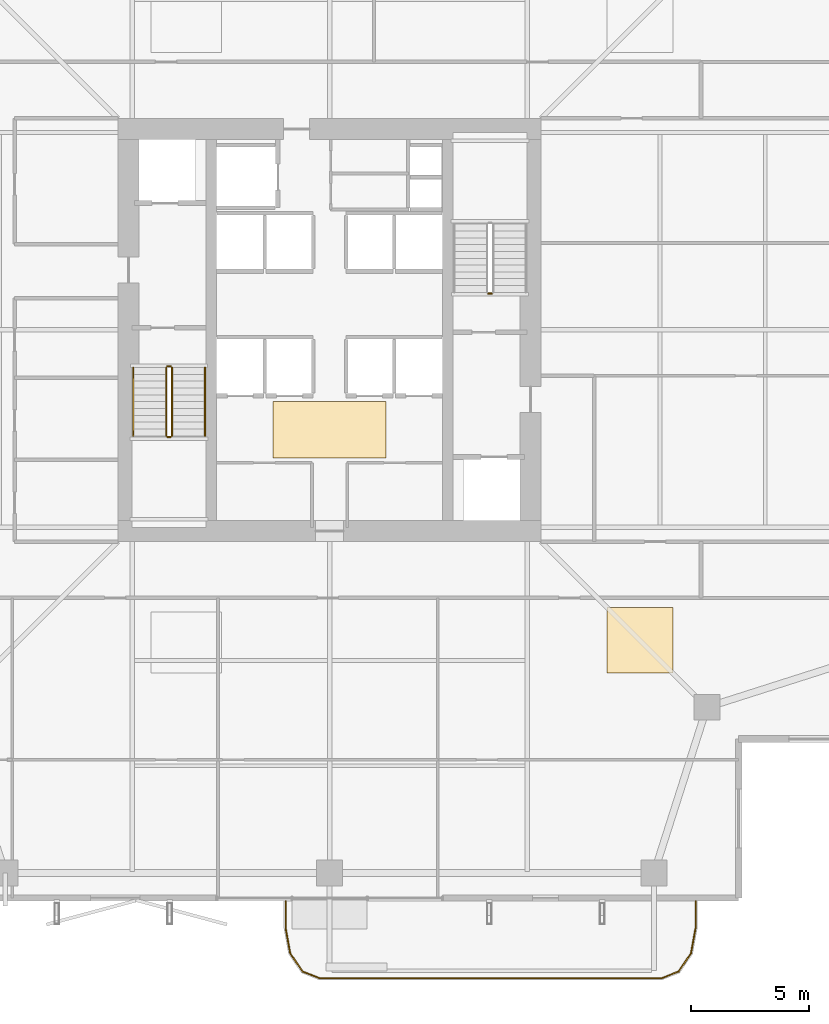
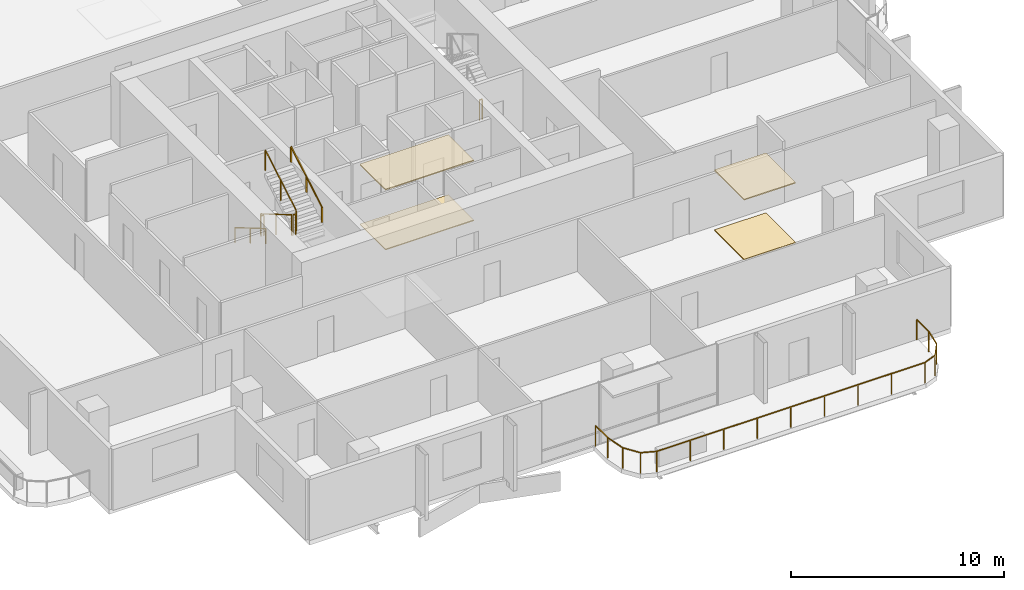
# One storey, part 23 of 25: 8 railings, 4 coverings.
"""IFC4 building model written with IfcOpenShell, lengths in metres."""

from ifc_helpers import new_model, si_unit, direction, frame, origin, origin_2d, place, context, subcontext, project, spatial, polyline, rectangle, outline, extrude, material, layer, layer_set, type_object, element, save


model = new_model("IFC4")

# Units and contexts
model_context = context("Model", 3, precision=1e-05, world=origin(), true_north=direction((0.0, 1.0)))
body_context = subcontext(model_context, "Body", "Model", "MODEL_VIEW")
ifc_project = project(units=[si_unit("LENGTHUNIT", "METRE"), si_unit("AREAUNIT", "SQUARE_METRE"), si_unit("VOLUMEUNIT", "CUBIC_METRE"), si_unit("PLANEANGLEUNIT", "RADIAN"), si_unit("MASSUNIT", "GRAM", prefix="KILO")], contexts=[model_context])

# Site, building, storey
site_placement = place(None, origin())
site = spatial("IfcSite", under=ifc_project, at=site_placement, CompositionType="ELEMENT")
building_placement = place(site_placement, origin())
building = spatial("IfcBuilding", under=site, at=building_placement, Name="Belovzor Exchange Tower", CompositionType="ELEMENT")
storey_placement = place(building_placement, frame((0.0, 0.0, 187.050048828125)))
storey = spatial("IfcBuildingStorey", under=building, at=storey_placement, Name="L46", CompositionType="ELEMENT", Elevation=187.050048828125)

# Railings
ifc_material_1 = material(Name="Stainless Steel Grade 304", Category="steel")
railing_type_1 = type_object("IfcRailingType", Name="Brushed Stainless Steel Stair Handrail 900", PredefinedType="HANDRAIL", material=ifc_material_1)
railing_1_placement = place(storey_placement, frame((20.449951171875, 27.199951171875, 0.17041015625)))
element("IfcRailing", 1, at=railing_1_placement, inside=storey, type_object=railing_type_1, Name="L46 ST-1 stair handrail 1", PredefinedType="HANDRAIL", context=body_context, shape_type="SweptSolid", body=[
    extrude(rectangle(XDim=0.048095703125, YDim=0.048095703125, at=origin_2d()), frame((0.0, 0.0, 0.8759765625), z_axis=(0.0, -0.86209462966, 0.506747323142), x_axis=(1.0, 0.0, 0.0)), (0.0, 0.0, 1.0), 3.36376953125),
    extrude(rectangle(XDim=0.0419921875, YDim=0.0419921875, at=origin_2d()), origin(), (0.0, 0.0, 1.0), 0.851806640625),
    extrude(rectangle(XDim=0.0419921875, YDim=0.0419921875, at=origin_2d()), frame((0.0, -1.449951171875, 0.852294921875)), (0.0, 0.0, 1.0), 0.851806640625),
    extrude(rectangle(XDim=0.0419921875, YDim=0.0419921875, at=origin_2d()), frame((0.0, -2.89990234375, 1.70458984375)), (0.0, 0.0, 1.0), 0.851806640625),
])
railing_2_placement = place(storey_placement, frame((23.5, 24.300048828125, 2.04541015625)))
element("IfcRailing", 2, at=railing_2_placement, inside=storey, type_object=railing_type_1, Name="L46 ST-1 stair handrail 2", PredefinedType="HANDRAIL", context=body_context, shape_type="SweptSolid", body=[
    extrude(rectangle(XDim=0.048095703125, YDim=0.048095703125, at=origin_2d()), frame((0.0, 0.0, 0.8759765625), z_axis=(0.0, 0.86209462966, 0.506747323142), x_axis=(-1.0, 0.0, 0.0)), (0.0, 0.0, 1.0), 3.36376953125),
    extrude(rectangle(XDim=0.0419921875, YDim=0.0419921875, at=origin_2d()), origin(), (0.0, 0.0, 1.0), 0.851806640625),
    extrude(rectangle(XDim=0.0419921875, YDim=0.0419921875, at=origin_2d()), frame((0.0, 1.449951171875, 0.852294921875)), (0.0, 0.0, 1.0), 0.851806640625),
    extrude(rectangle(XDim=0.0419921875, YDim=0.0419921875, at=origin_2d()), frame((0.0, 2.89990234375, 1.70458984375)), (0.0, 0.0, 1.0), 0.851806640625),
])
ifc_material_2 = material(Name="Stainless Steel and Laminated Safety Glass", Category="steel")
railing_type_2 = type_object("IfcRailingType", Name="Laminated Glass & Stainless Steel Balcony Balustrade 1200", PredefinedType="BALUSTRADE", material=ifc_material_2)
railing_3_placement = place(storey_placement, frame((26.929931640625, 4.489990234375, 0.0)))
element("IfcRailing", 3, at=railing_3_placement, inside=storey, type_object=railing_type_2, Name="GR-1 Balcony Balustrade L46 South", PredefinedType="BALUSTRADE", context=body_context, shape_type="SweptSolid", body=[
    extrude(rectangle(XDim=0.048095703125, YDim=0.048095703125, at=origin_2d()), frame((0.0, 0.0, 1.17578125), z_axis=(0.0, -1.0, 0.0), x_axis=(1.0, 0.0, 0.0)), (0.0, 0.0, 1.0), 1.133056640625),
    extrude(rectangle(XDim=0.048095703125, YDim=0.048095703125, at=origin_2d()), frame((0.0, -1.133056640625, 1.17578125), z_axis=(0.180122719713, -0.983644145941, 0.0), x_axis=(0.983644145941, 0.180122719713, 0.0)), (0.0, 0.0, 1.0), 1.09375),
    extrude(rectangle(XDim=0.048095703125, YDim=0.048095703125, at=origin_2d()), frame((0.197021484375, -2.208984375, 1.17578125), z_axis=(0.56294695933, -0.826493025367, 0.0), x_axis=(0.826493025367, 0.56294695933, 0.0)), (0.0, 0.0, 1.0), 0.932861328125),
    extrude(rectangle(XDim=0.048095703125, YDim=0.048095703125, at=origin_2d()), frame((0.72216796875, -2.97998046875, 1.17578125), z_axis=(0.930766990125, -0.365612923861, 0.0), x_axis=(0.365612923861, 0.930766990125, 0.0)), (0.0, 0.0, 1.0), 0.765869140625),
    extrude(rectangle(XDim=0.048095703125, YDim=0.048095703125, at=origin_2d()), frame((1.43505859375, -3.260009765625, 1.17578125), z_axis=(1.0, 0.0, 0.0), x_axis=(0.0, 1.0, 0.0)), (0.0, 0.0, 1.0), 14.570068359375),
    extrude(rectangle(XDim=0.048095703125, YDim=0.048095703125, at=origin_2d()), frame((16.005126953125, -3.260009765625, 1.17578125), z_axis=(0.930766990125, 0.365612923861, 0.0), x_axis=(-0.365612923861, 0.930766990125, 0.0)), (0.0, 0.0, 1.0), 0.765869140625),
    extrude(rectangle(XDim=0.048095703125, YDim=0.048095703125, at=origin_2d()), frame((16.718017578125, -2.97998046875, 1.17578125), z_axis=(0.56294695933, 0.826493025367, 0.0), x_axis=(-0.826493025367, 0.56294695933, 0.0)), (0.0, 0.0, 1.0), 0.932861328125),
    extrude(rectangle(XDim=0.048095703125, YDim=0.048095703125, at=origin_2d()), frame((17.2431640625, -2.208984375, 1.17578125), z_axis=(0.180122719713, 0.983644145941, 0.0), x_axis=(-0.983644145941, 0.180122719713, 0.0)), (0.0, 0.0, 1.0), 1.09375),
    extrude(rectangle(XDim=0.048095703125, YDim=0.048095703125, at=origin_2d()), frame((17.440185546875, -1.133056640625, 1.17578125), z_axis=(0.0, 1.0, 0.0), x_axis=(-1.0, 0.0, 0.0)), (0.0, 0.0, 1.0), 1.133056640625),
    extrude(rectangle(XDim=0.0419921875, YDim=0.0419921875, at=origin_2d()), origin(), (0.0, 0.0, 1.0), 1.15185546875),
    extrude(rectangle(XDim=0.0419921875, YDim=0.0419921875, at=origin_2d()), frame((0.0, -1.133056640625, 0.0)), (0.0, 0.0, 1.0), 1.15185546875),
    extrude(rectangle(XDim=0.0419921875, YDim=0.0419921875, at=origin_2d()), frame((0.197021484375, -2.208984375, 0.0)), (0.0, 0.0, 1.0), 1.15185546875),
    extrude(rectangle(XDim=0.0419921875, YDim=0.0419921875, at=origin_2d()), frame((0.72216796875, -2.97998046875, 0.0)), (0.0, 0.0, 1.0), 1.15185546875),
    extrude(rectangle(XDim=0.0419921875, YDim=0.0419921875, at=origin_2d()), frame((1.43505859375, -3.260009765625, 0.0)), (0.0, 0.0, 1.0), 1.15185546875),
    extrude(rectangle(XDim=0.0419921875, YDim=0.0419921875, at=origin_2d()), frame((3.25634765625, -3.260009765625, 0.0)), (0.0, 0.0, 1.0), 1.15185546875),
    extrude(rectangle(XDim=0.0419921875, YDim=0.0419921875, at=origin_2d()), frame((5.07763671875, -3.260009765625, 0.0)), (0.0, 0.0, 1.0), 1.15185546875),
    extrude(rectangle(XDim=0.0419921875, YDim=0.0419921875, at=origin_2d()), frame((6.89892578125, -3.260009765625, 0.0)), (0.0, 0.0, 1.0), 1.15185546875),
    extrude(rectangle(XDim=0.0419921875, YDim=0.0419921875, at=origin_2d()), frame((8.72021484375, -3.260009765625, 0.0)), (0.0, 0.0, 1.0), 1.15185546875),
    extrude(rectangle(XDim=0.0419921875, YDim=0.0419921875, at=origin_2d()), frame((10.541259765625, -3.260009765625, 0.0)), (0.0, 0.0, 1.0), 1.15185546875),
    extrude(rectangle(XDim=0.0419921875, YDim=0.0419921875, at=origin_2d()), frame((12.362548828125, -3.260009765625, 0.0)), (0.0, 0.0, 1.0), 1.15185546875),
    extrude(rectangle(XDim=0.0419921875, YDim=0.0419921875, at=origin_2d()), frame((14.183837890625, -3.260009765625, 0.0)), (0.0, 0.0, 1.0), 1.15185546875),
    extrude(rectangle(XDim=0.0419921875, YDim=0.0419921875, at=origin_2d()), frame((16.005126953125, -3.260009765625, 0.0)), (0.0, 0.0, 1.0), 1.15185546875),
    extrude(rectangle(XDim=0.0419921875, YDim=0.0419921875, at=origin_2d()), frame((16.718017578125, -2.97998046875, 0.0)), (0.0, 0.0, 1.0), 1.15185546875),
    extrude(rectangle(XDim=0.0419921875, YDim=0.0419921875, at=origin_2d()), frame((17.2431640625, -2.208984375, 0.0)), (0.0, 0.0, 1.0), 1.15185546875),
    extrude(rectangle(XDim=0.0419921875, YDim=0.0419921875, at=origin_2d()), frame((17.440185546875, -1.133056640625, 0.0)), (0.0, 0.0, 1.0), 1.15185546875),
    extrude(rectangle(XDim=0.0419921875, YDim=0.0419921875, at=origin_2d()), frame((17.440185546875, 0.0, 0.0)), (0.0, 0.0, 1.0), 1.15185546875),
])
ifc_material_3 = material(Name="Steel S355", Category="steel")
railing_type_3 = type_object("IfcRailingType", Name="Painted Steel Stairwell Guardrail 1200", PredefinedType="GUARDRAIL", material=ifc_material_3)
railing_4_placement = place(storey_placement, frame((21.85009765625, 27.199951171875, 0.17041015625)))
element("IfcRailing", 4, at=railing_4_placement, inside=storey, type_object=railing_type_3, Name="L46 ST-1 stair guard 1", PredefinedType="GUARDRAIL", context=body_context, shape_type="SweptSolid", body=[
    extrude(rectangle(XDim=0.048095703125, YDim=0.048095703125, at=origin_2d()), frame((0.0, 0.0, 1.17578125), z_axis=(0.0, -0.86209462966, 0.506747323142), x_axis=(1.0, 0.0, 0.0)), (0.0, 0.0, 1.0), 3.36376953125),
    extrude(rectangle(XDim=0.0419921875, YDim=0.0419921875, at=origin_2d()), origin(), (0.0, 0.0, 1.0), 1.15185546875),
    extrude(rectangle(XDim=0.0419921875, YDim=0.0419921875, at=origin_2d()), frame((0.0, -1.449951171875, 0.852294921875)), (0.0, 0.0, 1.0), 1.15185546875),
    extrude(rectangle(XDim=0.0419921875, YDim=0.0419921875, at=origin_2d()), frame((0.0, -2.89990234375, 1.70458984375)), (0.0, 0.0, 1.0), 1.15185546875),
])
railing_5_placement = place(storey_placement, frame((21.89990234375, 24.25, 1.875)))
element("IfcRailing", 5, at=railing_5_placement, inside=storey, type_object=railing_type_3, Name="L46 ST-1 stair guard 2", PredefinedType="GUARDRAIL", context=body_context, shape_type="SweptSolid", body=[
    extrude(rectangle(XDim=0.048095703125, YDim=0.048095703125, at=origin_2d()), frame((0.0, 0.0, 1.17578125), z_axis=(1.0, 0.0, 0.0), x_axis=(0.0, 1.0, 0.0)), (0.0, 0.0, 1.0), 0.150146484375),
    extrude(rectangle(XDim=0.0419921875, YDim=0.0419921875, at=origin_2d()), origin(), (0.0, 0.0, 1.0), 1.15185546875),
    extrude(rectangle(XDim=0.0419921875, YDim=0.0419921875, at=origin_2d()), frame((0.150146484375, 0.0, 0.0)), (0.0, 0.0, 1.0), 1.15185546875),
])
railing_6_placement = place(storey_placement, frame((22.10009765625, 24.300048828125, 2.04541015625)))
element("IfcRailing", 6, at=railing_6_placement, inside=storey, type_object=railing_type_3, Name="L46 ST-1 stair guard 3", PredefinedType="GUARDRAIL", context=body_context, shape_type="SweptSolid", body=[
    extrude(rectangle(XDim=0.048095703125, YDim=0.048095703125, at=origin_2d()), frame((0.0, 0.0, 1.17578125), z_axis=(0.0, 0.86209462966, 0.506747323142), x_axis=(-1.0, 0.0, 0.0)), (0.0, 0.0, 1.0), 3.36376953125),
    extrude(rectangle(XDim=0.0419921875, YDim=0.0419921875, at=origin_2d()), origin(), (0.0, 0.0, 1.0), 1.15185546875),
    extrude(rectangle(XDim=0.0419921875, YDim=0.0419921875, at=origin_2d()), frame((0.0, 1.449951171875, 0.852294921875)), (0.0, 0.0, 1.0), 1.15185546875),
    extrude(rectangle(XDim=0.0419921875, YDim=0.0419921875, at=origin_2d()), frame((0.0, 2.89990234375, 1.70458984375)), (0.0, 0.0, 1.0), 1.15185546875),
])
railing_7_placement = place(storey_placement, frame((21.89990234375, 27.25, 0.0)))
element("IfcRailing", 7, at=railing_7_placement, inside=storey, type_object=railing_type_3, Name="L46 ST-1 stair guard 4", PredefinedType="GUARDRAIL", context=body_context, shape_type="SweptSolid", body=[
    extrude(rectangle(XDim=0.048095703125, YDim=0.048095703125, at=origin_2d()), frame((0.0, 0.0, 1.17578125), z_axis=(1.0, 0.0, 0.0), x_axis=(0.0, 1.0, 0.0)), (0.0, 0.0, 1.0), 0.150146484375),
    extrude(rectangle(XDim=0.0419921875, YDim=0.0419921875, at=origin_2d()), origin(), (0.0, 0.0, 1.0), 1.15185546875),
    extrude(rectangle(XDim=0.0419921875, YDim=0.0419921875, at=origin_2d()), frame((0.150146484375, 0.0, 0.0)), (0.0, 0.0, 1.0), 1.15185546875),
])
railing_8_placement = place(storey_placement, frame((35.699951171875, 30.35009765625, 0.0)))
element("IfcRailing", 8, at=railing_8_placement, inside=storey, type_object=railing_type_3, Name="L46 ST-2 stair guard 4", PredefinedType="GUARDRAIL", context=body_context, shape_type="SweptSolid", body=[
    extrude(rectangle(XDim=0.048095703125, YDim=0.048095703125, at=origin_2d()), frame((0.0, 0.0, 1.17578125), z_axis=(-1.0, 0.0, 0.0), x_axis=(0.0, -1.0, 0.0)), (0.0, 0.0, 1.0), 0.14990234375),
    extrude(rectangle(XDim=0.0419921875, YDim=0.0419921875, at=origin_2d()), origin(), (0.0, 0.0, 1.0), 1.15185546875),
    extrude(rectangle(XDim=0.0419921875, YDim=0.0419921875, at=origin_2d()), frame((-0.14990234375, 0.0, 0.0)), (0.0, 0.0, 1.0), 1.15185546875),
])

# Coverings
ifc_material_4 = material(Name="Perforated Powder-Coated Aluminium", Category="aluminium")
ifc_layer_1 = layer(ifc_material_4, 0.06005859375)
ifc_layer_set_1 = layer_set([ifc_layer_1], Name="Perforated Powder-Coated Aluminium")
covering_type_1 = type_object("IfcCoveringType", Name="Perforated Acoustic Metal Tile Suspended Ceiling 60", PredefinedType="CEILING", material=ifc_layer_set_1)
covering_1_placement = place(storey_placement, frame((0.0, 0.0, 3.43505859375)))
element("IfcCovering", 9, at=covering_1_placement, inside=storey, type_object=covering_type_1, Name="CLG-AC60 Suspended Ceiling CLG-L46-LOB", PredefinedType="CEILING", context=body_context, shape_type="SweptSolid", body=[
    extrude(outline(polyline([(26.39990234375, 23.35009765625), (31.199951171875, 23.35009765625), (31.199951171875, 25.75), (26.39990234375, 25.75), (26.39990234375, 23.35009765625)])), origin(), (0.0, 0.0, 1.0), 0.059814453125),
])
covering_2_placement = place(storey_placement, frame((0.0, 0.0, 3.43505859375)))
element("IfcCovering", 10, at=covering_2_placement, inside=storey, type_object=covering_type_1, Name="CLG-AC60 Suspended Ceiling CLG-L46-Z1", PredefinedType="CEILING", context=body_context, shape_type="SweptSolid", body=[
    extrude(outline(polyline([(40.60009765625, 14.199951171875), (43.39990234375, 14.199951171875), (43.39990234375, 17.0), (40.60009765625, 17.0), (40.60009765625, 14.199951171875)])), origin(), (0.0, 0.0, 1.0), 0.059814453125),
])
ifc_material_5 = material(Name="Polished Natural Granite Tile", Category="masonry")
ifc_layer_2 = layer(ifc_material_5, 0.050048828125)
ifc_layer_set_2 = layer_set([ifc_layer_2], Name="Polished Natural Granite Tile")
covering_type_2 = type_object("IfcCoveringType", Name="Polished Karelian Granite & Raised Access Floor Finish 50", PredefinedType="FLOORING", material=ifc_layer_set_2)
covering_3_placement = place(storey_placement, origin())
element("IfcCovering", 11, at=covering_3_placement, inside=storey, type_object=covering_type_2, Name="FLR-GR50 Floor Finish FLR-L46-LOB", PredefinedType="FLOORING", context=body_context, shape_type="SweptSolid", body=[
    extrude(outline(polyline([(26.39990234375, 23.35009765625), (31.199951171875, 23.35009765625), (31.199951171875, 25.75), (26.39990234375, 25.75), (26.39990234375, 23.35009765625)])), origin(), (0.0, 0.0, 1.0), 0.050048828125),
])
covering_4_placement = place(storey_placement, origin())
element("IfcCovering", 12, at=covering_4_placement, inside=storey, type_object=covering_type_2, Name="FLR-GR50 Floor Finish FLR-L46-Z1", PredefinedType="FLOORING", context=body_context, shape_type="SweptSolid", body=[
    extrude(outline(polyline([(40.60009765625, 14.199951171875), (43.39990234375, 14.199951171875), (43.39990234375, 17.0), (40.60009765625, 17.0), (40.60009765625, 14.199951171875)])), origin(), (0.0, 0.0, 1.0), 0.050048828125),
])

save(model, "model.ifc")
